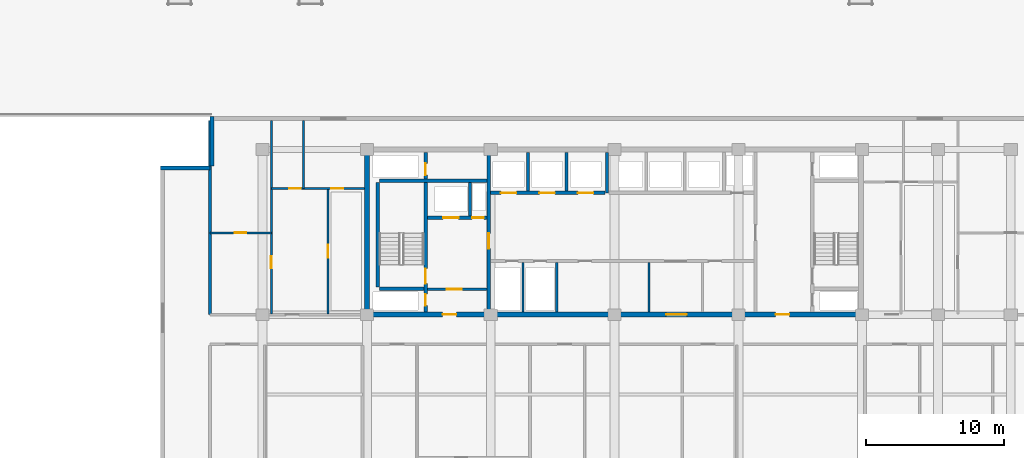
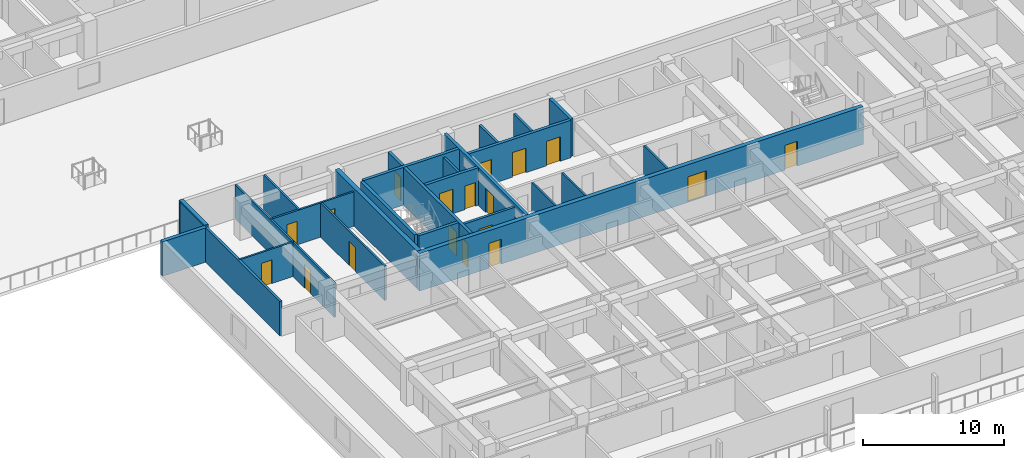
# One storey, part 6 of 24: 25 walls, 18 doors, 18 openings.
"""IFC4 building model written with IfcOpenShell, lengths in metres."""

from ifc_helpers import new_model, si_unit, direction, frame, frame_2d, origin, place, context, subcontext, project, spatial, rectangle, extrude, material, layer, layer_set, type_object, element, fill, save


model = new_model("IFC4")

# Units and contexts
model_context = context("Model", 3, precision=1e-05, world=origin(), true_north=direction((0.0, 1.0)))
body_context = subcontext(model_context, "Body", "Model", "MODEL_VIEW")
ifc_project = project(units=[si_unit("LENGTHUNIT", "METRE"), si_unit("AREAUNIT", "SQUARE_METRE"), si_unit("VOLUMEUNIT", "CUBIC_METRE"), si_unit("PLANEANGLEUNIT", "RADIAN"), si_unit("MASSUNIT", "GRAM", prefix="KILO")], contexts=[model_context])

# Site, building, storey
site_placement = place(None, origin())
site = spatial("IfcSite", under=ifc_project, at=site_placement, CompositionType="ELEMENT")
building_placement = place(site_placement, origin())
building = spatial("IfcBuilding", under=site, at=building_placement, Name="Korimba Cascade Residences", CompositionType="ELEMENT")
storey_placement = place(building_placement, frame((0.0, 0.0, 24.0)))
storey = spatial("IfcBuildingStorey", under=building, at=storey_placement, Name="L05", CompositionType="ELEMENT", Elevation=24.0)

# Walls
ifc_material_1 = material(Name="Precast concrete C40/50", Category="concrete")
ifc_layer_1 = layer(ifc_material_1, 0.300048828125)
ifc_layer_set_1 = layer_set([ifc_layer_1], Name="Precast concrete C40/50")
wall_type_1 = type_object("IfcWallType", Name="EW-STONE-300", PredefinedType="STANDARD", material=ifc_layer_set_1)
wall_1_placement = place(storey_placement, frame((70.85009765625, 32.800048828125, 0.0), z_axis=(0.0, 0.0, 1.0), x_axis=(0.0, -1.0, 0.0)))
element("IfcWall", 1, at=wall_1_placement, inside=storey, type_object=wall_type_1, Name="L05 T2 Perimeter Stone Wall E07", PredefinedType="STANDARD", context=body_context, shape_type="SweptSolid", body=[
    extrude(rectangle(XDim=3.60009765625, YDim=0.300048828125, at=frame_2d((1.800048828125, 0.0))), origin(), (0.0, 0.0, 1.0), 2.969970703125),
])
wall_2_placement = place(storey_placement, frame((70.699951171875, 29.050048828125, 0.0), z_axis=(0.0, 0.0, 1.0), x_axis=(-1.0, 0.0, 0.0)))
element("IfcWall", 2, at=wall_2_placement, inside=storey, type_object=wall_type_1, Name="L05 T2 Perimeter Stone Wall E08", PredefinedType="STANDARD", context=body_context, shape_type="SweptSolid", body=[
    extrude(rectangle(XDim=3.599853515625, YDim=0.300048828125, at=frame_2d((1.7998046875, 0.0))), origin(), (0.0, 0.0, 1.0), 2.969970703125),
])
ifc_material_2 = material(Name="Concrete C65/80", Category="concrete")
ifc_layer_2 = layer(ifc_material_2, 0.35009765625)
ifc_layer_set_2 = layer_set([ifc_layer_2], Name="Concrete C65/80")
wall_type_2 = type_object("IfcWallType", Name="WAL-CORE-350", PredefinedType="SHEAR", material=ifc_layer_set_2)
wall_3_placement = place(storey_placement, frame((82.10009765625, 18.574951171875, 0.0), z_axis=(0.0, 0.0, 1.0), x_axis=(0.0, 1.0, 0.0)))
element("IfcWall", 3, at=wall_3_placement, inside=storey, type_object=wall_type_2, Name="L05 Core Shear Wall CW-L05-T2-W", PredefinedType="SHEAR", context=body_context, shape_type="SweptSolid", body=[
    extrude(rectangle(XDim=11.650146484375, YDim=0.35009765625, at=frame_2d((5.8251953125, 0.0))), origin(), (0.0, 0.0, 1.0), 3.25),
])

# Wall, openings, doors
wall_4_placement = place(storey_placement, frame((81.925048828125, 18.39990234375, 0.0), z_axis=(0.0, 0.0, 1.0), x_axis=(1.0, 0.0, 0.0)))
wall_4 = element("IfcWall", 4, at=wall_4_placement, inside=storey, type_object=wall_type_2, Name="L05 Core Shear Wall CW-L05-T2-S", PredefinedType="SHEAR", context=body_context, shape_type="SweptSolid", body=[
    extrude(rectangle(XDim=36.264892578125, YDim=0.35009765625, at=frame_2d((18.13232421875, 0.0))), origin(), (0.0, 0.0, 1.0), 3.25),
])
opening_1_placement = place(wall_4_placement, frame((5.675048828125, 0.0, 0.0)))
opening_1 = element("IfcOpeningElement", 5, at=opening_1_placement, cuts=wall_4, Name="Opening D-FD5", PredefinedType="OPENING", context=body_context, shape_type="SweptSolid", body=[
    extrude(rectangle(XDim=1.0, YDim=2.14990234375, at=frame_2d((0.5, 1.074951171875))), frame((0.0, 0.18505859375, 0.0), z_axis=(0.0, -1.0, 0.0), x_axis=(1.0, 0.0, 0.0)), (0.0, 0.0, 1.0), 0.3701171875),
])
opening_2_placement = place(wall_4_placement, frame((21.925048828125, 0.0, 0.0)))
opening_2 = element("IfcOpeningElement", 6, at=opening_2_placement, cuts=wall_4, Name="Opening D-FD8", PredefinedType="OPENING", context=body_context, shape_type="SweptSolid", body=[
    extrude(rectangle(XDim=1.5, YDim=2.199951171875, at=frame_2d((0.75, 1.10009765625))), frame((0.0, 0.18505859375, 0.0), z_axis=(0.0, -1.0, 0.0), x_axis=(1.0, 0.0, 0.0)), (0.0, 0.0, 1.0), 0.3701171875),
])
opening_3_placement = place(wall_4_placement, frame((29.875, 0.0, 0.0)))
opening_3 = element("IfcOpeningElement", 7, at=opening_3_placement, cuts=wall_4, Name="Opening D-FD5", PredefinedType="OPENING", context=body_context, shape_type="SweptSolid", body=[
    extrude(rectangle(XDim=1.0, YDim=2.14990234375, at=frame_2d((0.5, 1.074951171875))), frame((0.0, 0.18505859375, 0.0), z_axis=(0.0, -1.0, 0.0), x_axis=(1.0, 0.0, 0.0)), (0.0, 0.0, 1.0), 0.3701171875),
])
ifc_material_3 = material(Name="Fire-Rated Acoustic Timber Vestibule Door", Category="wood")
door_type_1 = type_object("IfcDoorType", Name="DR-FD90-1000", OperationType="NOTDEFINED", PredefinedType="DOOR", material=ifc_material_3)
door_1_placement = place(opening_1_placement, origin())
door_1 = element("IfcDoor", 8, at=door_1_placement, inside=storey, type_object=door_type_1, Name="L05 T2 West Core Vestibule Fire Door", OperationType="SINGLE_SWING_LEFT", OverallHeight=2.14990234375, OverallWidth=1.0, PredefinedType="DOOR", context=body_context, shape_type="SweptSolid", body=[
    extrude(rectangle(XDim=1.0, YDim=2.14990234375, at=frame_2d((0.5, 1.074951171875))), frame((0.0, 0.02490234375, 0.0), z_axis=(0.0, -1.0, 0.0), x_axis=(1.0, 0.0, 0.0)), (0.0, 0.0, 1.0), 0.050048828125),
])
fill(opening_1, door_1)
door_2_placement = place(opening_3_placement, origin())
door_2 = element("IfcDoor", 9, at=door_2_placement, inside=storey, type_object=door_type_1, Name="L05 T2 East Stair Vestibule Fire Door", OperationType="SINGLE_SWING_RIGHT", OverallHeight=2.14990234375, OverallWidth=1.0, PredefinedType="DOOR", context=body_context, shape_type="SweptSolid", body=[
    extrude(rectangle(XDim=1.0, YDim=2.14990234375, at=frame_2d((0.5, 1.074951171875))), frame((0.0, 0.02490234375, 0.0), z_axis=(0.0, -1.0, 0.0), x_axis=(1.0, 0.0, 0.0)), (0.0, 0.0, 1.0), 0.050048828125),
])
fill(opening_3, door_2)
ifc_material_4 = material(Name="Fire-Rated Glazed Lift Lobby Double Door", Category="glass")
door_type_2 = type_object("IfcDoorType", Name="DR-FD90-1500", OperationType="NOTDEFINED", PredefinedType="DOOR", material=ifc_material_4)
door_3_placement = place(opening_2_placement, origin())
door_3 = element("IfcDoor", 10, at=door_3_placement, inside=storey, type_object=door_type_2, Name="L05 T2 Lift Lobby Fire Door", OperationType="DOUBLE_DOOR_SINGLE_SWING", OverallHeight=2.199951171875, OverallWidth=1.5, PredefinedType="DOOR", context=body_context, shape_type="SweptSolid", body=[
    extrude(rectangle(XDim=1.5, YDim=2.199951171875, at=frame_2d((0.75, 1.10009765625))), frame((0.0, 0.02490234375, 0.0), z_axis=(0.0, -1.0, 0.0), x_axis=(1.0, 0.0, 0.0)), (0.0, 0.0, 1.0), 0.050048828125),
])
fill(opening_2, door_3)

# Walls
ifc_layer_3 = layer(ifc_material_1, 0.199951171875)
ifc_layer_set_3 = layer_set([ifc_layer_3], Name="Precast concrete C40/50")
wall_type_3 = type_object("IfcWallType", Name="WAL-IT-200", PredefinedType="PARTITIONING", material=ifc_layer_set_3)
wall_5_placement = place(storey_placement, frame((70.699951171875, 18.39990234375, 0.0), z_axis=(0.0, 0.0, 1.0), x_axis=(0.0, 1.0, 0.0)))
element("IfcWall", 11, at=wall_5_placement, inside=storey, type_object=wall_type_3, Name="L05 Partition Wall WAL-L05-T2-FW-WL", PredefinedType="PARTITIONING", context=body_context, shape_type="SweptSolid", body=[
    extrude(rectangle(XDim=14.10009765625, YDim=0.199951171875, at=frame_2d((7.050048828125, 0.0))), origin(), (0.0, 0.0, 1.0), 2.969970703125),
])
ifc_material_5 = material(Name="Insulated Acoustic Stud Partition", Category="gypsum")
ifc_layer_4 = layer(ifc_material_5, 0.14990234375)
ifc_layer_set_4 = layer_set([ifc_layer_4], Name="Insulated Acoustic Stud Partition")
wall_type_4 = type_object("IfcWallType", Name="WAL-PART-150", PredefinedType="PARTITIONING", material=ifc_layer_set_4)
for number, where, z_axis, x_axis, name in (
    (12, (93.449951171875, 18.60009765625, 0.0), (0.0, 0.0, 1.0), (0.0, 1.0, 0.0), "L05 Partition Wall CW-L05-T2-ERDIV"),
    (13, (95.89990234375, 18.60009765625, 0.0), (0.0, 0.0, 1.0), (0.0, 1.0, 0.0), "L05 Partition Wall CW-L05-T2-PRDIV"),
    (14, (102.60009765625, 18.60009765625, 0.0), (0.0, 0.0, 1.0), (0.0, 1.0, 0.0), "L05 Partition Wall CW-L05-T2-THW"),
):
    element("IfcWall", number, at=place(storey_placement, frame(where, z_axis=z_axis, x_axis=x_axis)), inside=storey, type_object=wall_type_4, Name=name, PredefinedType="PARTITIONING", context=body_context, shape_type="SweptSolid", body=[
        extrude(rectangle(XDim=3.599853515625, YDim=0.14990234375, at=frame_2d((1.7998046875, 0.0))), origin(), (0.0, 0.0, 1.0), 2.969970703125),
    ])

# Wall, opening, door
wall_6_placement = place(storey_placement, frame((70.699951171875, 24.35009765625, 0.0), z_axis=(0.0, 0.0, 1.0), x_axis=(1.0, 0.0, 0.0)))
wall_6 = element("IfcWall", 15, at=wall_6_placement, inside=storey, type_object=wall_type_4, Name="L05 Partition Wall WAL-L05-T2-FW-STH", PredefinedType="PARTITIONING", context=body_context, shape_type="SweptSolid", body=[
    extrude(rectangle(XDim=4.449951171875, YDim=0.14990234375, at=frame_2d((2.22509765625, 0.0))), origin(), (0.0, 0.0, 1.0), 2.969970703125),
])
opening_4_placement = place(wall_6_placement, frame((1.804931640625, 0.0, 0.0)))
opening_4 = element("IfcOpeningElement", 16, at=opening_4_placement, cuts=wall_6, Name="Opening D-BT1", PredefinedType="OPENING", context=body_context, shape_type="SweptSolid", body=[
    extrude(rectangle(XDim=0.840087890625, YDim=2.0400390625, at=frame_2d((0.419921875, 1.02001953125))), frame((0.0, 0.0849609375, 0.0), z_axis=(0.0, -1.0, 0.0), x_axis=(1.0, 0.0, 0.0)), (0.0, 0.0, 1.0), 0.169921875),
])
ifc_material_6 = material(Name="Moisture-Resistant Bathroom Timber Door", Category="wood")
door_type_3 = type_object("IfcDoorType", Name="DR-INT-850", OperationType="NOTDEFINED", PredefinedType="DOOR", material=ifc_material_6)
door_4_placement = place(opening_4_placement, origin())
door_4 = element("IfcDoor", 17, at=door_4_placement, inside=storey, type_object=door_type_3, Name="L05-T2-FW Dressing Store Door", OperationType="SINGLE_SWING_RIGHT", OverallHeight=2.0400390625, OverallWidth=0.840087890625, PredefinedType="DOOR", context=body_context, shape_type="SweptSolid", body=[
    extrude(rectangle(XDim=0.840087890625, YDim=2.0400390625, at=frame_2d((0.419921875, 1.02001953125))), frame((0.0, 0.02490234375, 0.0), z_axis=(0.0, -1.0, 0.0), x_axis=(1.0, 0.0, 0.0)), (0.0, 0.0, 1.0), 0.050048828125),
])
fill(opening_4, door_4)

wall_7_placement = place(storey_placement, frame((75.14990234375, 18.449951171875, 0.0), z_axis=(0.0, 0.0, 1.0), x_axis=(0.0, 1.0, 0.0)))
wall_7 = element("IfcWall", 18, at=wall_7_placement, inside=storey, type_object=wall_type_4, Name="L05 Partition Wall WAL-L05-T2-FW-STV", PredefinedType="PARTITIONING", context=body_context, shape_type="SweptSolid", body=[
    extrude(rectangle(XDim=14.050048828125, YDim=0.14990234375, at=frame_2d((7.02490234375, 0.0))), origin(), (0.0, 0.0, 1.0), 2.969970703125),
])
opening_5_placement = place(wall_7_placement, frame((3.320068359375, 0.0, 0.0)))
opening_5 = element("IfcOpeningElement", 19, at=opening_5_placement, cuts=wall_7, Name="Opening D-IN2", PredefinedType="OPENING", context=body_context, shape_type="SweptSolid", body=[
    extrude(rectangle(XDim=0.8798828125, YDim=2.06005859375, at=frame_2d((0.43994140625, 1.030029296875))), frame((0.0, 0.0849609375, 0.0), z_axis=(0.0, -1.0, 0.0), x_axis=(1.0, 0.0, 0.0)), (0.0, 0.0, 1.0), 0.169921875),
])
ifc_material_7 = material(Name="Acoustic Timber Bedroom Door", Category="wood")
door_type_4 = type_object("IfcDoorType", Name="DR-INT-880", OperationType="NOTDEFINED", PredefinedType="DOOR", material=ifc_material_7)
door_5_placement = place(opening_5_placement, origin())
door_5 = element("IfcDoor", 20, at=door_5_placement, inside=storey, type_object=door_type_4, Name="L05-T2-FW Study Door", OperationType="SINGLE_SWING_LEFT", OverallHeight=2.06005859375, OverallWidth=0.8798828125, PredefinedType="DOOR", context=body_context, shape_type="SweptSolid", body=[
    extrude(rectangle(XDim=0.8798828125, YDim=2.06005859375, at=frame_2d((0.43994140625, 1.030029296875))), frame((0.0, 0.02490234375, 0.0), z_axis=(0.0, -1.0, 0.0), x_axis=(1.0, 0.0, 0.0)), (0.0, 0.0, 1.0), 0.050048828125),
])
fill(opening_5, door_5)

wall_8_placement = place(storey_placement, frame((79.27001953125, 18.449951171875, 0.0), z_axis=(0.0, 0.0, 1.0), x_axis=(0.0, 1.0, 0.0)))
wall_8 = element("IfcWall", 21, at=wall_8_placement, inside=storey, type_object=wall_type_4, Name="L05 Partition Wall WAL-L05-T2-FW-VS", PredefinedType="PARTITIONING", context=body_context, shape_type="SweptSolid", body=[
    extrude(rectangle(XDim=9.1201171875, YDim=0.14990234375, at=frame_2d((4.56005859375, 0.0))), origin(), (0.0, 0.0, 1.0), 2.969970703125),
])
opening_6_placement = place(wall_8_placement, frame((4.10009765625, 0.0, 0.0)))
opening_6 = element("IfcOpeningElement", 22, at=opening_6_placement, cuts=wall_8, Name="Opening D-IN1", PredefinedType="OPENING", context=body_context, shape_type="SweptSolid", body=[
    extrude(rectangle(XDim=0.919921875, YDim=2.080078125, at=frame_2d((0.4599609375, 1.0400390625))), frame((0.0, 0.0849609375, 0.0), z_axis=(0.0, -1.0, 0.0), x_axis=(1.0, 0.0, 0.0)), (0.0, 0.0, 1.0), 0.169921875),
])
ifc_material_8 = material(Name="Acoustic Timber Living Door", Category="wood")
door_type_5 = type_object("IfcDoorType", Name="DR-INT-920", OperationType="NOTDEFINED", PredefinedType="DOOR", material=ifc_material_8)
door_6_placement = place(opening_6_placement, origin())
door_6 = element("IfcDoor", 23, at=door_6_placement, inside=storey, type_object=door_type_5, Name="L05-T2-FW Living Door", OperationType="SINGLE_SWING_RIGHT", OverallHeight=2.080078125, OverallWidth=0.919921875, PredefinedType="DOOR", context=body_context, shape_type="SweptSolid", body=[
    extrude(rectangle(XDim=0.919921875, YDim=2.080078125, at=frame_2d((0.4599609375, 1.0400390625))), frame((0.0, 0.02490234375, 0.0), z_axis=(0.0, -1.0, 0.0), x_axis=(1.0, 0.0, 0.0)), (0.0, 0.0, 1.0), 0.050048828125),
])
fill(opening_6, door_6)

# Wall
wall_9_placement = place(storey_placement, frame((77.5, 27.570068359375, 0.0), z_axis=(0.0, 0.0, 1.0), x_axis=(0.0, 1.0, 0.0)))
element("IfcWall", 24, at=wall_9_placement, inside=storey, type_object=wall_type_4, Name="L05 Partition Wall WAL-L05-T2-FW-VN", PredefinedType="PARTITIONING", context=body_context, shape_type="SweptSolid", body=[
    extrude(rectangle(XDim=4.929931640625, YDim=0.14990234375, at=frame_2d((2.46484375, 0.0))), origin(), (0.0, 0.0, 1.0), 2.969970703125),
])

# Wall, openings, doors
wall_10_placement = place(storey_placement, frame((75.169921875, 27.570068359375, 0.0), z_axis=(0.0, 0.0, 1.0), x_axis=(1.0, 0.0, 0.0)))
wall_10 = element("IfcWall", 25, at=wall_10_placement, inside=storey, type_object=wall_type_4, Name="L05 Partition Wall WAL-L05-T2-FW-H", PredefinedType="PARTITIONING", context=body_context, shape_type="SweptSolid", body=[
    extrude(rectangle(XDim=6.760009765625, YDim=0.14990234375, at=frame_2d((3.3798828125, 0.0))), origin(), (0.0, 0.0, 1.0), 2.969970703125),
])
opening_7_placement = place(wall_10_placement, frame((1.266357421875, 0.0, 0.0)))
opening_7 = element("IfcOpeningElement", 26, at=opening_7_placement, cuts=wall_10, Name="Opening D-BT1", PredefinedType="OPENING", context=body_context, shape_type="SweptSolid", body=[
    extrude(rectangle(XDim=0.840087890625, YDim=2.0400390625, at=frame_2d((0.419921875, 1.02001953125))), frame((0.0, 0.0849609375, 0.0), z_axis=(0.0, -1.0, 0.0), x_axis=(1.0, 0.0, 0.0)), (0.0, 0.0, 1.0), 0.169921875),
])
opening_8_placement = place(wall_10_placement, frame((4.320068359375, 0.0, 0.0)))
opening_8 = element("IfcOpeningElement", 27, at=opening_8_placement, cuts=wall_10, Name="Opening D-IN2", PredefinedType="OPENING", context=body_context, shape_type="SweptSolid", body=[
    extrude(rectangle(XDim=0.8798828125, YDim=2.06005859375, at=frame_2d((0.43994140625, 1.030029296875))), frame((0.0, 0.0849609375, 0.0), z_axis=(0.0, -1.0, 0.0), x_axis=(1.0, 0.0, 0.0)), (0.0, 0.0, 1.0), 0.169921875),
])
door_7_placement = place(opening_7_placement, origin())
door_7 = element("IfcDoor", 28, at=door_7_placement, inside=storey, type_object=door_type_3, Name="L05-T2-FW Bathroom Door", OperationType="SINGLE_SWING_LEFT", OverallHeight=2.0400390625, OverallWidth=0.840087890625, PredefinedType="DOOR", context=body_context, shape_type="SweptSolid", body=[
    extrude(rectangle(XDim=0.840087890625, YDim=2.0400390625, at=frame_2d((0.419921875, 1.02001953125))), frame((0.0, 0.02490234375, 0.0), z_axis=(0.0, -1.0, 0.0), x_axis=(1.0, 0.0, 0.0)), (0.0, 0.0, 1.0), 0.050048828125),
])
fill(opening_7, door_7)
door_8_placement = place(opening_8_placement, origin())
door_8 = element("IfcDoor", 29, at=door_8_placement, inside=storey, type_object=door_type_4, Name="L05-T2-FW Bedroom Door", OperationType="SINGLE_SWING_RIGHT", OverallHeight=2.06005859375, OverallWidth=0.8798828125, PredefinedType="DOOR", context=body_context, shape_type="SweptSolid", body=[
    extrude(rectangle(XDim=0.8798828125, YDim=2.06005859375, at=frame_2d((0.43994140625, 1.030029296875))), frame((0.0, 0.02490234375, 0.0), z_axis=(0.0, -1.0, 0.0), x_axis=(1.0, 0.0, 0.0)), (0.0, 0.0, 1.0), 0.050048828125),
])
fill(opening_8, door_8)

# Wall
ifc_material_9 = material(Name="Concrete C40/50", Category="concrete")
ifc_layer_5 = layer(ifc_material_9, 0.199951171875)
ifc_layer_set_5 = layer_set([ifc_layer_5], Name="Concrete C40/50")
wall_type_5 = type_object("IfcWallType", Name="WAL-PART-200", PredefinedType="PARTITIONING", material=ifc_layer_set_5)
wall_11_placement = place(storey_placement, frame((89.60009765625, 25.580078125, 0.0), z_axis=(0.0, 0.0, 1.0), x_axis=(0.0, 1.0, 0.0)))
element("IfcWall", 30, at=wall_11_placement, inside=storey, type_object=wall_type_5, Name="L05 Partition Wall CW-L05-T2-FFLDIV", PredefinedType="PARTITIONING", context=body_context, shape_type="SweptSolid", body=[
    extrude(rectangle(XDim=2.419921875, YDim=0.199951171875, at=frame_2d((1.2099609375, 0.0))), origin(), (0.0, 0.0, 1.0), 2.969970703125),
])

# Wall, opening, door
wall_12_placement = place(storey_placement, frame((86.5, 20.25, 0.0), z_axis=(0.0, 0.0, 1.0), x_axis=(1.0, 0.0, 0.0)))
wall_12 = element("IfcWall", 31, at=wall_12_placement, inside=storey, type_object=wall_type_5, Name="L05 Partition Wall CW-L05-T2-FFLS", PredefinedType="PARTITIONING", context=body_context, shape_type="SweptSolid", body=[
    extrude(rectangle(XDim=4.320068359375, YDim=0.199951171875, at=frame_2d((2.16015625, 0.0))), origin(), (0.0, 0.0, 1.0), 2.969970703125),
])
opening_9_placement = place(wall_12_placement, frame((1.39990234375, 0.0, 0.0)))
opening_9 = element("IfcOpeningElement", 32, at=opening_9_placement, cuts=wall_12, Name="Opening D-FD1", PredefinedType="OPENING", context=body_context, shape_type="SweptSolid", body=[
    extrude(rectangle(XDim=1.10009765625, YDim=2.10009765625, at=frame_2d((0.550048828125, 1.050048828125))), frame((0.0, 0.10986328125, 0.0), z_axis=(0.0, -1.0, 0.0), x_axis=(1.0, 0.0, 0.0)), (0.0, 0.0, 1.0), 0.219970703125),
])
ifc_material_10 = material(Name="Fire-Rated Steel Core Door", Category="steel")
door_type_6 = type_object("IfcDoorType", Name="DR-FD120-1100", OperationType="NOTDEFINED", PredefinedType="DOOR", material=ifc_material_10)
door_9_placement = place(opening_9_placement, origin())
door_9 = element("IfcDoor", 33, at=door_9_placement, inside=storey, type_object=door_type_6, Name="L05 T2 Firefighting Lobby Door", OperationType="SINGLE_SWING_LEFT", OverallHeight=2.10009765625, OverallWidth=1.10009765625, PredefinedType="DOOR", context=body_context, shape_type="SweptSolid", body=[
    extrude(rectangle(XDim=1.10009765625, YDim=2.10009765625, at=frame_2d((0.550048828125, 1.050048828125))), frame((0.0, 0.02490234375, 0.0), z_axis=(0.0, -1.0, 0.0), x_axis=(1.0, 0.0, 0.0)), (0.0, 0.0, 1.0), 0.050048828125),
])
fill(opening_9, door_9)

# Walls
for number, where, z_axis, x_axis, name in (
    (34, (93.800048828125, 27.3798828125, 0.0), (0.0, 0.0, 1.0), (0.0, 1.0, 0.0), "L05 Partition Wall CW-L05-T2-B1D1"),
    (35, (96.60009765625, 27.3798828125, 0.0), (0.0, 0.0, 1.0), (0.0, 1.0, 0.0), "L05 Partition Wall CW-L05-T2-B1D2"),
):
    element("IfcWall", number, at=place(storey_placement, frame(where, z_axis=z_axis, x_axis=x_axis)), inside=storey, type_object=wall_type_5, Name=name, PredefinedType="PARTITIONING", context=body_context, shape_type="SweptSolid", body=[
        extrude(rectangle(XDim=2.820068359375, YDim=0.199951171875, at=frame_2d((1.41015625, 0.0))), origin(), (0.0, 0.0, 1.0), 2.969970703125),
    ])
ifc_material_11 = material(Name="Concrete C50/60", Category="concrete")
ifc_layer_6 = layer(ifc_material_11, 0.25)
ifc_layer_set_6 = layer_set([ifc_layer_6], Name="Concrete C50/60")
wall_type_6 = type_object("IfcWallType", Name="WAL-SHAFT-250", PredefinedType="SHEAR", material=ifc_layer_set_6)
wall_13_placement = place(storey_placement, frame((82.875, 20.39990234375, 0.0), z_axis=(0.0, 0.0, 1.0), x_axis=(0.0, 1.0, 0.0)))
element("IfcWall", 36, at=wall_13_placement, inside=storey, type_object=wall_type_6, Name="L05 Core Shear Wall CW-L05-T2-STE1W", PredefinedType="SHEAR", context=body_context, shape_type="SweptSolid", body=[
    extrude(rectangle(XDim=7.60009765625, YDim=0.25, at=frame_2d((3.800048828125, 0.0))), origin(), (0.0, 0.0, 1.0), 3.25),
])

# Wall, openings, doors
wall_14_placement = place(storey_placement, frame((86.364990234375, 18.60009765625, 0.0), z_axis=(0.0, 0.0, 1.0), x_axis=(0.0, 1.0, 0.0)))
wall_14 = element("IfcWall", 37, at=wall_14_placement, inside=storey, type_object=wall_type_6, Name="L05 Core Shear Wall CW-L05-T2-STE1E", PredefinedType="SHEAR", context=body_context, shape_type="SweptSolid", body=[
    extrude(rectangle(XDim=11.599853515625, YDim=0.25, at=frame_2d((5.7998046875, 0.0))), origin(), (0.0, 0.0, 1.0), 3.25),
])
opening_10_placement = place(wall_14_placement, frame((0.449951171875, 0.0, 0.0)))
opening_10 = element("IfcOpeningElement", 38, at=opening_10_placement, cuts=wall_14, Name="Opening D-RS1", PredefinedType="OPENING", context=body_context, shape_type="SweptSolid", body=[
    extrude(rectangle(XDim=0.85009765625, YDim=2.050048828125, at=frame_2d((0.425048828125, 1.02490234375))), frame((0.0, 0.135009765625, 0.0), z_axis=(0.0, -1.0, 0.0), x_axis=(1.0, 0.0, 0.0)), (0.0, 0.0, 1.0), 0.27001953125),
])
opening_11_placement = place(wall_14_placement, frame((2.050048828125, 0.0, 0.0)))
opening_11 = element("IfcOpeningElement", 39, at=opening_11_placement, cuts=wall_14, Name="Opening D-FD1", PredefinedType="OPENING", context=body_context, shape_type="SweptSolid", body=[
    extrude(rectangle(XDim=1.10009765625, YDim=2.10009765625, at=frame_2d((0.550048828125, 1.050048828125))), frame((0.0, 0.135009765625, 0.0), z_axis=(0.0, -1.0, 0.0), x_axis=(1.0, 0.0, 0.0)), (0.0, 0.0, 1.0), 0.27001953125),
])
opening_12_placement = place(wall_14_placement, frame((9.949951171875, 0.0, 0.0)))
opening_12 = element("IfcOpeningElement", 40, at=opening_12_placement, cuts=wall_14, Name="Opening D-RS1", PredefinedType="OPENING", context=body_context, shape_type="SweptSolid", body=[
    extrude(rectangle(XDim=0.85009765625, YDim=2.050048828125, at=frame_2d((0.425048828125, 1.02490234375))), frame((0.0, 0.135009765625, 0.0), z_axis=(0.0, -1.0, 0.0), x_axis=(1.0, 0.0, 0.0)), (0.0, 0.0, 1.0), 0.27001953125),
])
door_10_placement = place(opening_11_placement, origin())
door_10 = element("IfcDoor", 41, at=door_10_placement, inside=storey, type_object=door_type_6, Name="L05 Fire Stair ST-E1 Door", OperationType="SINGLE_SWING_RIGHT", OverallHeight=2.10009765625, OverallWidth=1.10009765625, PredefinedType="DOOR", context=body_context, shape_type="SweptSolid", body=[
    extrude(rectangle(XDim=1.10009765625, YDim=2.10009765625, at=frame_2d((0.550048828125, 1.050048828125))), frame((0.0, 0.02490234375, 0.0), z_axis=(0.0, -1.0, 0.0), x_axis=(1.0, 0.0, 0.0)), (0.0, 0.0, 1.0), 0.050048828125),
])
fill(opening_11, door_10)
ifc_material_12 = material(Name="Fire-Rated Steel Riser Access Door", Category="steel")
door_type_7 = type_object("IfcDoorType", Name="DR-FD60-850", OperationType="NOTDEFINED", PredefinedType="DOOR", material=ifc_material_12)
door_11_placement = place(opening_10_placement, origin())
door_11 = element("IfcDoor", 42, at=door_11_placement, inside=storey, type_object=door_type_7, Name="L05 T2 Hydrant Riser Door", OperationType="SINGLE_SWING_LEFT", OverallHeight=2.050048828125, OverallWidth=0.85009765625, PredefinedType="DOOR", context=body_context, shape_type="SweptSolid", body=[
    extrude(rectangle(XDim=0.85009765625, YDim=2.050048828125, at=frame_2d((0.425048828125, 1.02490234375))), frame((0.0, 0.02490234375, 0.0), z_axis=(0.0, -1.0, 0.0), x_axis=(1.0, 0.0, 0.0)), (0.0, 0.0, 1.0), 0.050048828125),
])
fill(opening_10, door_11)
door_12_placement = place(opening_12_placement, origin())
door_12 = element("IfcDoor", 43, at=door_12_placement, inside=storey, type_object=door_type_7, Name="L05 T2 Smoke Shaft Door", OperationType="SINGLE_SWING_LEFT", OverallHeight=2.050048828125, OverallWidth=0.85009765625, PredefinedType="DOOR", context=body_context, shape_type="SweptSolid", body=[
    extrude(rectangle(XDim=0.85009765625, YDim=2.050048828125, at=frame_2d((0.425048828125, 1.02490234375))), frame((0.0, 0.02490234375, 0.0), z_axis=(0.0, -1.0, 0.0), x_axis=(1.0, 0.0, 0.0)), (0.0, 0.0, 1.0), 0.050048828125),
])
fill(opening_12, door_12)

# Walls
wall_15_placement = place(storey_placement, frame((83.0, 20.27490234375, 0.0), z_axis=(0.0, 0.0, 1.0), x_axis=(1.0, 0.0, 0.0)))
element("IfcWall", 44, at=wall_15_placement, inside=storey, type_object=wall_type_6, Name="L05 Core Shear Wall CW-L05-T2-STE1S", PredefinedType="SHEAR", context=body_context, shape_type="SweptSolid", body=[
    extrude(rectangle(XDim=3.239990234375, YDim=0.25, at=frame_2d((1.6201171875, 0.0))), origin(), (0.0, 0.0, 1.0), 3.25),
])
wall_16_placement = place(storey_placement, frame((83.0, 28.125, 0.0), z_axis=(0.0, 0.0, 1.0), x_axis=(1.0, 0.0, 0.0)))
element("IfcWall", 45, at=wall_16_placement, inside=storey, type_object=wall_type_6, Name="L05 Core Shear Wall CW-L05-T2-STE1N", PredefinedType="SHEAR", context=body_context, shape_type="SweptSolid", body=[
    extrude(rectangle(XDim=7.820068359375, YDim=0.25, at=frame_2d((3.91015625, 0.0))), origin(), (0.0, 0.0, 1.0), 3.25),
])

# Wall, openings, doors
wall_17_placement = place(storey_placement, frame((86.5, 25.449951171875, 0.0), z_axis=(0.0, 0.0, 1.0), x_axis=(1.0, 0.0, 0.0)))
wall_17 = element("IfcWall", 46, at=wall_17_placement, inside=storey, type_object=wall_type_6, Name="L05 Core Shear Wall CW-L05-T2-FFLN", PredefinedType="SHEAR", context=body_context, shape_type="SweptSolid", body=[
    extrude(rectangle(XDim=4.320068359375, YDim=0.25, at=frame_2d((2.16015625, 0.0))), origin(), (0.0, 0.0, 1.0), 3.25),
])
opening_13_placement = place(wall_17_placement, frame((1.139892578125, 0.0, 0.0)))
opening_13 = element("IfcOpeningElement", 47, at=opening_13_placement, cuts=wall_17, Name="Opening LD-01", PredefinedType="OPENING", context=body_context, shape_type="SweptSolid", body=[
    extrude(rectangle(XDim=1.1201171875, YDim=2.1201171875, at=frame_2d((0.56005859375, 1.06005859375))), frame((0.0, 0.135009765625, 0.0), z_axis=(0.0, -1.0, 0.0), x_axis=(1.0, 0.0, 0.0)), (0.0, 0.0, 1.0), 0.27001953125),
])
opening_14_placement = place(wall_17_placement, frame((3.25, 0.0, 0.0)))
opening_14 = element("IfcOpeningElement", 48, at=opening_14_placement, cuts=wall_17, Name="Opening D-RS1", PredefinedType="OPENING", context=body_context, shape_type="SweptSolid", body=[
    extrude(rectangle(XDim=0.85009765625, YDim=2.050048828125, at=frame_2d((0.425048828125, 1.02490234375))), frame((0.0, 0.135009765625, 0.0), z_axis=(0.0, -1.0, 0.0), x_axis=(1.0, 0.0, 0.0)), (0.0, 0.0, 1.0), 0.27001953125),
])
door_13_placement = place(opening_14_placement, origin())
door_13 = element("IfcDoor", 49, at=door_13_placement, inside=storey, type_object=door_type_7, Name="L05 T2 Pressurisation Riser Door", OperationType="SINGLE_SWING_RIGHT", OverallHeight=2.050048828125, OverallWidth=0.85009765625, PredefinedType="DOOR", context=body_context, shape_type="SweptSolid", body=[
    extrude(rectangle(XDim=0.85009765625, YDim=2.050048828125, at=frame_2d((0.425048828125, 1.02490234375))), frame((0.0, 0.02490234375, 0.0), z_axis=(0.0, -1.0, 0.0), x_axis=(1.0, 0.0, 0.0)), (0.0, 0.0, 1.0), 0.050048828125),
])
fill(opening_14, door_13)
ifc_material_13 = material(Name="Stainless Steel Lift Landing Sliding Door", Category="steel")
door_type_8 = type_object("IfcDoorType", Name="DR-LIFT-1100", OperationType="NOTDEFINED", PredefinedType="DOOR", material=ifc_material_13)
door_14_placement = place(opening_13_placement, origin())
door_14 = element("IfcDoor", 50, at=door_14_placement, inside=storey, type_object=door_type_8, Name="L05 Firefighting Lift Landing Door FFL-E1", OperationType="SLIDING_TO_RIGHT", OverallHeight=2.1201171875, OverallWidth=1.1201171875, PredefinedType="DOOR", context=body_context, shape_type="SweptSolid", body=[
    extrude(rectangle(XDim=1.1201171875, YDim=2.1201171875, at=frame_2d((0.56005859375, 1.06005859375))), frame((0.0, 0.02490234375, 0.0), z_axis=(0.0, -1.0, 0.0), x_axis=(1.0, 0.0, 0.0)), (0.0, 0.0, 1.0), 0.050048828125),
])
fill(opening_13, door_14)

# Wall, opening, door
wall_18_placement = place(storey_placement, frame((90.949951171875, 18.60009765625, 0.0), z_axis=(0.0, 0.0, 1.0), x_axis=(0.0, 1.0, 0.0)))
wall_18 = element("IfcWall", 51, at=wall_18_placement, inside=storey, type_object=wall_type_6, Name="L05 Core Shear Wall CW-L05-T2-FFLE", PredefinedType="SHEAR", context=body_context, shape_type="SweptSolid", body=[
    extrude(rectangle(XDim=11.599853515625, YDim=0.25, at=frame_2d((5.7998046875, 0.0))), origin(), (0.0, 0.0, 1.0), 3.25),
])
opening_15_placement = place(wall_18_placement, frame((4.60009765625, 0.0, 0.0)))
opening_15 = element("IfcOpeningElement", 52, at=opening_15_placement, cuts=wall_18, Name="Opening D-FD1", PredefinedType="OPENING", context=body_context, shape_type="SweptSolid", body=[
    extrude(rectangle(XDim=1.10009765625, YDim=2.10009765625, at=frame_2d((0.550048828125, 1.050048828125))), frame((0.0, 0.135009765625, 0.0), z_axis=(0.0, -1.0, 0.0), x_axis=(1.0, 0.0, 0.0)), (0.0, 0.0, 1.0), 0.27001953125),
])
door_15_placement = place(opening_15_placement, origin())
door_15 = element("IfcDoor", 53, at=door_15_placement, inside=storey, type_object=door_type_6, Name="L05 T2 Firefighting Lobby to Lift Lobby Door", OperationType="SINGLE_SWING_RIGHT", OverallHeight=2.10009765625, OverallWidth=1.10009765625, PredefinedType="DOOR", context=body_context, shape_type="SweptSolid", body=[
    extrude(rectangle(XDim=1.10009765625, YDim=2.10009765625, at=frame_2d((0.550048828125, 1.050048828125))), frame((0.0, 0.02490234375, 0.0), z_axis=(0.0, -1.0, 0.0), x_axis=(1.0, 0.0, 0.0)), (0.0, 0.0, 1.0), 0.050048828125),
])
fill(opening_15, door_15)

# Wall, openings, doors
wall_19_placement = place(storey_placement, frame((91.080078125, 27.25, 0.0), z_axis=(0.0, 0.0, 1.0), x_axis=(1.0, 0.0, 0.0)))
wall_19 = element("IfcWall", 54, at=wall_19_placement, inside=storey, type_object=wall_type_6, Name="L05 Core Shear Wall CW-L05-T2-B1S", PredefinedType="SHEAR", context=body_context, shape_type="SweptSolid", body=[
    extrude(rectangle(XDim=8.33984375, YDim=0.25, at=frame_2d((4.169921875, 0.0))), origin(), (0.0, 0.0, 1.0), 3.25),
])
opening_16_placement = place(wall_19_placement, frame((0.760009765625, 0.0, 0.0)))
opening_16 = element("IfcOpeningElement", 55, at=opening_16_placement, cuts=wall_19, Name="Opening LD-01", PredefinedType="OPENING", context=body_context, shape_type="SweptSolid", body=[
    extrude(rectangle(XDim=1.1201171875, YDim=2.1201171875, at=frame_2d((0.56005859375, 1.06005859375))), frame((0.0, 0.135009765625, 0.0), z_axis=(0.0, -1.0, 0.0), x_axis=(1.0, 0.0, 0.0)), (0.0, 0.0, 1.0), 0.27001953125),
])
opening_17_placement = place(wall_19_placement, frame((3.56005859375, 0.0, 0.0)))
opening_17 = element("IfcOpeningElement", 56, at=opening_17_placement, cuts=wall_19, Name="Opening LD-01", PredefinedType="OPENING", context=body_context, shape_type="SweptSolid", body=[
    extrude(rectangle(XDim=1.1201171875, YDim=2.1201171875, at=frame_2d((0.56005859375, 1.06005859375))), frame((0.0, 0.135009765625, 0.0), z_axis=(0.0, -1.0, 0.0), x_axis=(1.0, 0.0, 0.0)), (0.0, 0.0, 1.0), 0.27001953125),
])
opening_18_placement = place(wall_19_placement, frame((6.360107421875, 0.0, 0.0)))
opening_18 = element("IfcOpeningElement", 57, at=opening_18_placement, cuts=wall_19, Name="Opening LD-01", PredefinedType="OPENING", context=body_context, shape_type="SweptSolid", body=[
    extrude(rectangle(XDim=1.1201171875, YDim=2.1201171875, at=frame_2d((0.56005859375, 1.06005859375))), frame((0.0, 0.135009765625, 0.0), z_axis=(0.0, -1.0, 0.0), x_axis=(1.0, 0.0, 0.0)), (0.0, 0.0, 1.0), 0.27001953125),
])
door_16_placement = place(opening_16_placement, origin())
door_16 = element("IfcDoor", 58, at=door_16_placement, inside=storey, type_object=door_type_8, Name="L05 Lift Landing Door PL-E1", OperationType="SLIDING_TO_LEFT", OverallHeight=2.1201171875, OverallWidth=1.1201171875, PredefinedType="DOOR", context=body_context, shape_type="SweptSolid", body=[
    extrude(rectangle(XDim=1.1201171875, YDim=2.1201171875, at=frame_2d((0.56005859375, 1.06005859375))), frame((0.0, 0.02490234375, 0.0), z_axis=(0.0, -1.0, 0.0), x_axis=(1.0, 0.0, 0.0)), (0.0, 0.0, 1.0), 0.050048828125),
])
fill(opening_16, door_16)
door_17_placement = place(opening_17_placement, origin())
door_17 = element("IfcDoor", 59, at=door_17_placement, inside=storey, type_object=door_type_8, Name="L05 Lift Landing Door PL-E2", OperationType="SLIDING_TO_LEFT", OverallHeight=2.1201171875, OverallWidth=1.1201171875, PredefinedType="DOOR", context=body_context, shape_type="SweptSolid", body=[
    extrude(rectangle(XDim=1.1201171875, YDim=2.1201171875, at=frame_2d((0.56005859375, 1.06005859375))), frame((0.0, 0.02490234375, 0.0), z_axis=(0.0, -1.0, 0.0), x_axis=(1.0, 0.0, 0.0)), (0.0, 0.0, 1.0), 0.050048828125),
])
fill(opening_17, door_17)
door_18_placement = place(opening_18_placement, origin())
door_18 = element("IfcDoor", 60, at=door_18_placement, inside=storey, type_object=door_type_8, Name="L05 Lift Landing Door PL-E3", OperationType="SLIDING_TO_LEFT", OverallHeight=2.1201171875, OverallWidth=1.1201171875, PredefinedType="DOOR", context=body_context, shape_type="SweptSolid", body=[
    extrude(rectangle(XDim=1.1201171875, YDim=2.1201171875, at=frame_2d((0.56005859375, 1.06005859375))), frame((0.0, 0.02490234375, 0.0), z_axis=(0.0, -1.0, 0.0), x_axis=(1.0, 0.0, 0.0)), (0.0, 0.0, 1.0), 0.050048828125),
])
fill(opening_18, door_18)

# Wall
wall_20_placement = place(storey_placement, frame((99.550048828125, 27.25, 0.0), z_axis=(0.0, 0.0, 1.0), x_axis=(0.0, 1.0, 0.0)))
element("IfcWall", 61, at=wall_20_placement, inside=storey, type_object=wall_type_6, Name="L05 Core Shear Wall CW-L05-T2-B12DIV", PredefinedType="SHEAR", context=body_context, shape_type="SweptSolid", body=[
    extrude(rectangle(XDim=2.949951171875, YDim=0.25, at=frame_2d((1.47509765625, 0.0))), origin(), (0.0, 0.0, 1.0), 3.25),
])

save(model, "model.ifc")
